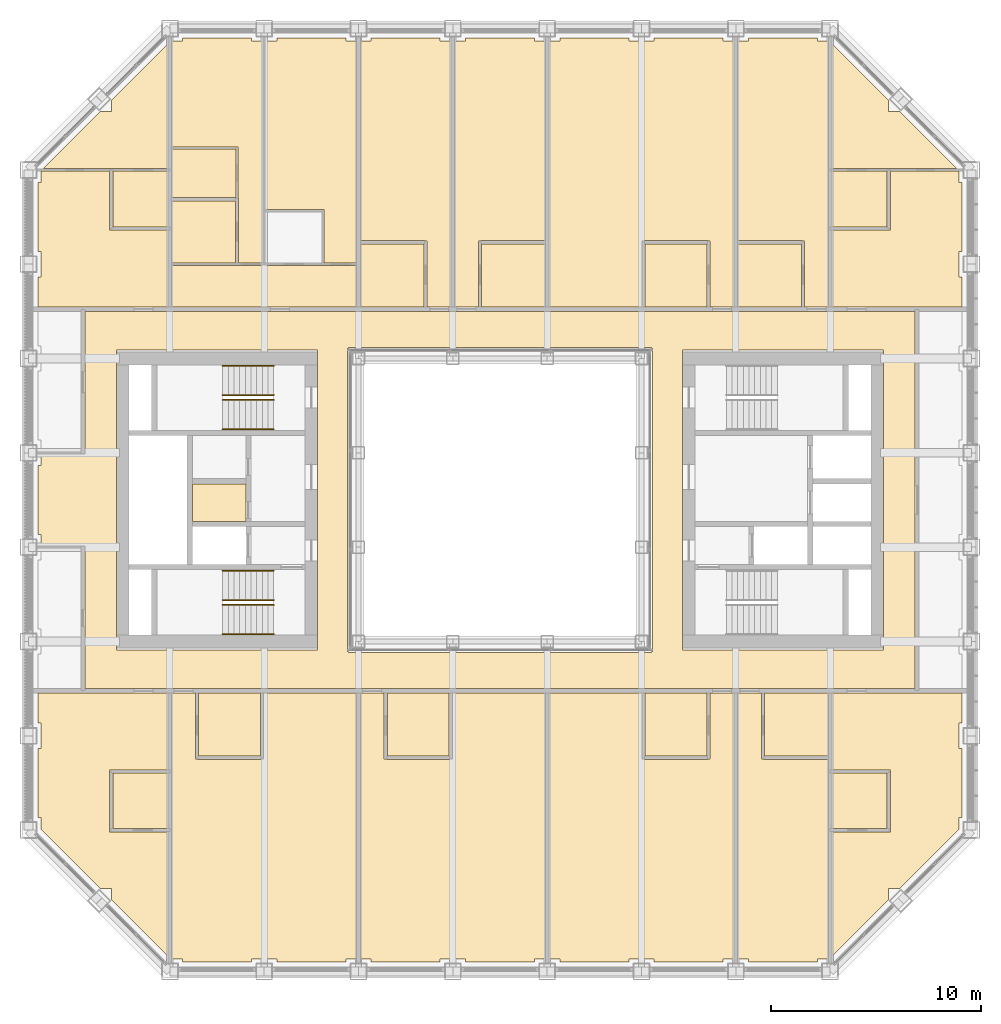
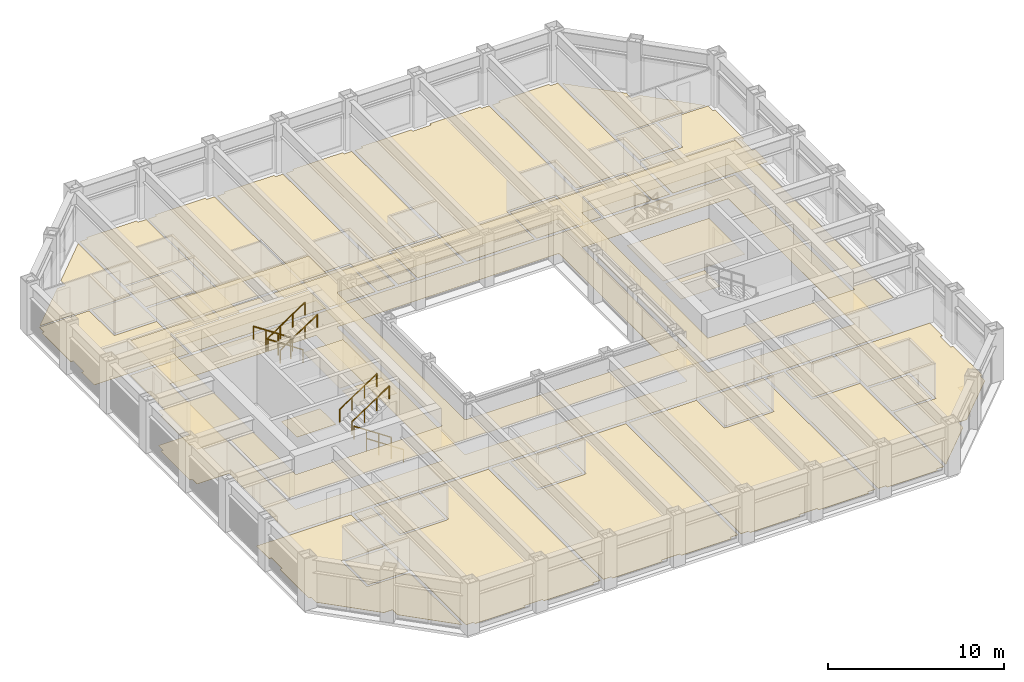
# One storey, part 15 of 17: 8 railings, 4 coverings.
"""IFC4 building model written with IfcOpenShell, lengths in metres."""

import ifcopenshell
import ifcopenshell.guid

model = None  # the IFC model being written
_history = None  # IfcOwnerHistory: only IFC2X3 demands one
_inside = {}  # id of a spatial element -> (the spatial element, [elements in it])
_under = {}  # id of a project, library or spatial element -> (it, [spatial elements below it])
_declared = {}  # id of a project -> (the project, [libraries it declares])
_typed = {}  # id of a type object -> (the type object, [elements of that type])
_made_of = {}  # id of a material, layer set ... -> (it, [elements and type objects made of it])


def new_model(schema):
    """Start an empty IFC model of exactly this schema.

    Asked for "IFC4X3", IfcOpenShell would pick the latest addendum, in which some entities
    have other attributes; the version numbers below select the first issue.
    IFC2X3 requires an IfcOwnerHistory on every rooted entity: one is made here for all.
    """
    global model, _history
    if schema == "IFC4X3":
        model = ifcopenshell.file(schema_version=(4, 3, 0, 0))
    else:
        model = ifcopenshell.file(schema=schema)
    _inside.clear()
    _under.clear()
    _declared.clear()
    _typed.clear()
    _made_of.clear()
    _history = None
    if model.schema == "IFC2X3":
        org = make("IfcOrganization", Name="unknown")
        user = make(
            "IfcPersonAndOrganization",
            ThePerson=make("IfcPerson", FamilyName="unknown"),
            TheOrganization=org,
        )
        app = make(
            "IfcApplication",
            ApplicationDeveloper=org,
            Version="unknown",
            ApplicationFullName="unknown",
            ApplicationIdentifier="unknown",
        )
        _history = make(
            "IfcOwnerHistory",
            OwningUser=user,
            OwningApplication=app,
            ChangeAction="ADDED",
            CreationDate=0,
        )
    return model


def make(cls, **values):
    """One entity of the class cls with the attributes given. An attribute that is None is left unset."""
    return model.create_entity(
        cls, **{name: value for name, value in values.items() if value is not None}
    )


def rooted(cls, **values):
    """An entity with a GlobalId (a new one), such as an element, a storey or a relation."""
    return make(cls, GlobalId=ifcopenshell.guid.new(), OwnerHistory=_history, **values)


def si_unit(unit_type, name, prefix=None):
    """IfcSIUnit, for example si_unit("LENGTHUNIT", "METRE", prefix="MILLI")."""
    return make("IfcSIUnit", UnitType=unit_type, Prefix=prefix, Name=name)


def assignment(units):
    """IfcUnitAssignment: the units of a project."""
    return None if units is None else make("IfcUnitAssignment", Units=units)


def point(xyz):
    """IfcCartesianPoint."""
    return None if xyz is None else make("IfcCartesianPoint", Coordinates=xyz)


def direction(xyz):
    """IfcDirection."""
    return None if xyz is None else make("IfcDirection", DirectionRatios=xyz)


def frame(location, z_axis=None, x_axis=None):
    """IfcAxis2Placement3D, a coordinate frame: its origin and axes. An axis left out is left unset."""
    return make(
        "IfcAxis2Placement3D",
        Location=point(location),
        Axis=direction(z_axis),
        RefDirection=direction(x_axis),
    )


def frame_2d(location, x_axis=None):
    """IfcAxis2Placement2D, a coordinate frame in the plane: its origin and x axis."""
    return make(
        "IfcAxis2Placement2D", Location=point(location), RefDirection=direction(x_axis)
    )


def origin():
    """The frame at (0, 0, 0) with its axes left unset."""
    return frame((0.0, 0.0, 0.0))


def origin_2d():
    """The frame at (0, 0) in the plane with its x axis left unset."""
    return frame_2d((0.0, 0.0))


def place(relative_to, where):
    """IfcLocalPlacement: puts the frame where relative to a parent placement (None: the world)."""
    return make(
        "IfcLocalPlacement", PlacementRelTo=relative_to, RelativePlacement=where
    )


def context(
    kind, dimensions, precision=None, world=None, true_north=None, identifier=None
):
    """IfcGeometricRepresentationContext, for example the 3D "Model" context."""
    return make(
        "IfcGeometricRepresentationContext",
        ContextIdentifier=identifier,
        ContextType=kind,
        CoordinateSpaceDimension=dimensions,
        Precision=precision,
        WorldCoordinateSystem=world,
        TrueNorth=true_north,
    )


def subcontext(parent, identifier, kind, view, scale=None):
    """IfcGeometricRepresentationSubContext, for example "Body" below "Model"."""
    return make(
        "IfcGeometricRepresentationSubContext",
        ContextIdentifier=identifier,
        ContextType=kind,
        ParentContext=parent,
        TargetScale=scale,
        TargetView=view,
    )


def project(units=None, contexts=None):
    """IfcProject with its units and contexts."""
    return rooted(
        "IfcProject",
        Name="project",
        RepresentationContexts=contexts,
        UnitsInContext=assignment(units),
    )


def spatial(cls, under=None, at=None, **own):
    """A site, building, storey or space (cls), placed at a placement, below another one or the project."""
    s = rooted(cls, ObjectPlacement=at, **own)
    if under is not None:
        _under.setdefault(under.id(), (under, []))[1].append(s)
    return s


def point_list(points):
    """IfcCartesianPointList2D or 3D."""
    cls = (
        "IfcCartesianPointList2D" if len(points[0]) == 2 else "IfcCartesianPointList3D"
    )
    return make(cls, CoordList=points)


def line(*indices):
    """IfcLineIndex: a straight run through numbered points of an indexed curve."""
    return model.create_entity("IfcLineIndex", indices)


def indexed_curve(points, segments=None, self_intersect=None):
    """IfcIndexedPolyCurve: lines and arcs through numbered points (the first is 1)."""
    return make(
        "IfcIndexedPolyCurve",
        Points=point_list(points),
        Segments=segments,
        SelfIntersect=self_intersect,
    )


def profile(cls, at=None, kind="AREA", **sizes):
    """A parametric profile (cls). Its sizes go by their IFC names, for example OverallWidth=200.0."""
    return make(cls, ProfileType=kind, Position=at, **sizes)


def circle(**sizes):
    """IfcCircleProfileDef."""
    return profile("IfcCircleProfileDef", **sizes)


def outline(outer, holes=None, kind="AREA"):
    """IfcArbitraryClosedProfileDef: a profile drawn as a closed curve; with holes, ...WithVoids."""
    if holes is None:
        return make("IfcArbitraryClosedProfileDef", ProfileType=kind, OuterCurve=outer)
    return make(
        "IfcArbitraryProfileDefWithVoids",
        ProfileType=kind,
        OuterCurve=outer,
        InnerCurves=holes,
    )


def extrude(swept, where, along, depth):
    """IfcExtrudedAreaSolid: the profile swept, set in the frame where, extruded along a direction by depth."""
    return make(
        "IfcExtrudedAreaSolid",
        SweptArea=swept,
        Position=where,
        ExtrudedDirection=direction(along),
        Depth=depth,
    )


def shape(context_of_items, identifier, shape_type, items):
    """IfcShapeRepresentation: the items that make up one representation, for example the "Body"."""
    return make(
        "IfcShapeRepresentation",
        ContextOfItems=context_of_items,
        RepresentationIdentifier=identifier,
        RepresentationType=shape_type,
        Items=items,
    )


def material(Name=None, Category=None):
    """IfcMaterial."""
    return make("IfcMaterial", Name=Name, Category=Category)


def layer(
    of_material, thickness, ventilated=None, Name=None, Category=None, Priority=None
):
    """IfcMaterialLayer: one layer of a wall or slab, of a material (None: an air gap)."""
    return make(
        "IfcMaterialLayer",
        Material=of_material,
        LayerThickness=thickness,
        IsVentilated=ventilated,
        Name=Name,
        Category=Category,
        Priority=Priority,
    )


def layer_set(layers, Name=None):
    """IfcMaterialLayerSet."""
    return make("IfcMaterialLayerSet", MaterialLayers=layers, LayerSetName=Name)


def made_of(thing, what):
    """Note that an element or type object is made of a material, layer set ...; save() writes the relation."""
    if what is not None:
        _made_of.setdefault(what.id(), (what, []))[1].append(thing)
    return thing


def type_object(cls, material=None, **own):
    """A type object (cls), such as IfcWallType, which elements share."""
    return made_of(rooted(cls, **own), material)


def element(
    cls,
    number,
    at=None,
    inside=None,
    cuts=None,
    type_object=None,
    material=None,
    context=None,
    identifier="Body",
    shape_type=None,
    held_by="IfcProductDefinitionShape",
    body=None,
    shapes=None,
    **own,
):
    """One element of the class cls, such as IfcWall. Its Tag is "e" and its number.

    at: its placement. inside: the storey or other place that contains it. cuts: it is an
    opening in that element (IfcRelVoidsElement). A single representation is given by context,
    identifier, shape_type and body (its items); several are given by shapes. held_by: the class
    of the entity that holds the representations. save() writes the other relations.
    """
    e = rooted(cls, Tag="e%d" % number, ObjectPlacement=at, **own)
    if body is not None:
        shapes = [shape(context, identifier, shape_type, body)]
    if shapes is not None:
        e.Representation = make(held_by, Representations=shapes)
    if inside is not None:
        _inside.setdefault(inside.id(), (inside, []))[1].append(e)
    if cuts is not None:
        rooted(
            "IfcRelVoidsElement", RelatingBuildingElement=cuts, RelatedOpeningElement=e
        )
    if type_object is not None:
        _typed.setdefault(type_object.id(), (type_object, []))[1].append(e)
    return made_of(e, material)


def aggregate(whole, parts):
    """IfcRelAggregates: a whole, such as a stair, and the parts it consists of."""
    return rooted("IfcRelAggregates", RelatingObject=whole, RelatedObjects=parts)


def save(model, path):
    """Write the relations noted so far, then the file.

    IfcRelAggregates (storeys below a building ...), IfcRelContainedInSpatialStructure (elements
    in a storey), IfcRelDefinesByType, IfcRelAssociatesMaterial and IfcRelDeclares: one each for
    every whole, place, type object, material and project.
    """
    for whole, parts in _under.values():
        aggregate(whole, parts)
    for where, things in _inside.values():
        rooted(
            "IfcRelContainedInSpatialStructure",
            RelatedElements=things,
            RelatingStructure=where,
        )
    for kind, things in _typed.values():
        rooted("IfcRelDefinesByType", RelatedObjects=things, RelatingType=kind)
    for what, things in _made_of.values():
        rooted("IfcRelAssociatesMaterial", RelatedObjects=things, RelatingMaterial=what)
    for by, libraries in _declared.values():
        rooted("IfcRelDeclares", RelatingContext=by, RelatedDefinitions=libraries)
    model.write(path)


model = new_model("IFC4")

# Units and contexts
model_context = context("Model", 3, precision=1e-05, world=origin(), true_north=direction((0.0, 1.0)))
body_context = subcontext(model_context, "Body", "Model", "MODEL_VIEW")
ifc_project = project(units=[si_unit("LENGTHUNIT", "METRE"), si_unit("AREAUNIT", "SQUARE_METRE"), si_unit("VOLUMEUNIT", "CUBIC_METRE"), si_unit("PLANEANGLEUNIT", "RADIAN"), si_unit("MASSUNIT", "GRAM", prefix="KILO")], contexts=[model_context])

# Site, building, storey
site_placement = place(None, origin())
site = spatial("IfcSite", under=ifc_project, at=site_placement, CompositionType="ELEMENT")
building_placement = place(site_placement, origin())
building = spatial("IfcBuilding", under=site, at=building_placement, Name="Msasa Ring Tower", CompositionType="ELEMENT")
storey_placement = place(building_placement, frame((0.0, 0.0, 172.39990234375)))
storey = spatial("IfcBuildingStorey", under=building, at=storey_placement, Name="L45", CompositionType="ELEMENT", Elevation=172.39990234375)

# Coverings
ifc_material_1 = material(Name="Gypsum plasterboard on a steel suspension grid", Category="steel")
ifc_layer_1 = layer(ifc_material_1, 0.014892578125)
ifc_layer_set_1 = layer_set([ifc_layer_1], Name="C1 SUSPENDED PLASTERBOARD CEILING 15")
covering_type_1 = type_object("IfcCoveringType", Name="C1 SUSPENDED PLASTERBOARD CEILING 15", PredefinedType="CEILING", material=ifc_layer_set_1)
covering_1_placement = place(storey_placement, frame((0.0, 0.0, 2.400146484375)))
element("IfcCovering", 1, at=covering_1_placement, inside=storey, type_object=covering_type_1, Name="Suspended Plasterboard Ceiling 15 circulation L45", PredefinedType="CEILING", context=body_context, shape_type="SweptSolid", body=[
    extrude(outline(indexed_curve([(-22.049560546875, 1.6494140625), (-21.8994140625, 1.6494140625), (-21.8994140625, 2.199462890625), (-19.799560546875, 2.199462890625), (-19.799560546875, 8.99951171875), (19.799560546875, 8.99951171875), (19.799560546875, -8.99951171875), (-19.799560546875, -8.99951171875), (-19.799560546875, -2.199462890625), (-21.8994140625, -2.199462890625), (-21.8994140625, -1.6494140625), (-22.049560546875, -1.6494140625)], segments=[line(1, 2, 3, 4, 5, 6, 7, 8, 9, 10, 11, 12, 1)], self_intersect=False), holes=[indexed_curve([(8.699462890625, -7.150390625), (18.300537109375, -7.150390625), (18.300537109375, 7.150390625), (8.699462890625, 7.150390625)], segments=[line(1, 2, 3, 4, 1)], self_intersect=False), indexed_curve([(-18.300537109375, 7.150390625), (-18.300537109375, -7.150390625), (-8.699462890625, -7.150390625), (-8.699462890625, 7.150390625)], segments=[line(1, 2, 3, 4, 1)], self_intersect=False), indexed_curve([(-7.280517578125, 7.23046875), (-7.280517578125, -7.23046875), (-7.22998046875, -7.23046875), (-7.22998046875, -7.280029296875), (7.22998046875, -7.280029296875), (7.22998046875, -7.23046875), (7.280517578125, -7.23046875), (7.280517578125, 7.23046875), (7.22998046875, 7.23046875), (7.22998046875, 7.280029296875), (-7.22998046875, 7.280029296875), (-7.22998046875, 7.23046875)], segments=[line(1, 2, 3, 4, 5, 6, 7, 8, 9, 10, 11, 12, 1)], self_intersect=False)]), origin(), (0.0, 0.0, 1.0), 0.014892578125),
    extrude(outline(indexed_curve([(-15.6494140625, 9.200439453125), (-15.6494140625, 11.199462890625), (-6.8505859375, 11.199462890625), (-6.8505859375, 9.200439453125)], segments=[line(1, 2, 3, 4, 1)], self_intersect=False)), origin(), (0.0, 0.0, 1.0), 0.014892578125),
    extrude(outline(indexed_curve([(-9.300537109375, -3.074462890625), (-11.87451171875, -3.074462890625), (-11.87451171875, -1.275390625), (-9.300537109375, -1.275390625)], segments=[line(1, 2, 3, 4, 1)], self_intersect=False)), origin(), (0.0, 0.0, 1.0), 0.014892578125),
    extrude(outline(indexed_curve([(-9.300537109375, -1.0244140625), (-11.87451171875, -1.0244140625), (-11.87451171875, 3.074462890625), (-9.300537109375, 3.074462890625)], segments=[line(1, 2, 3, 4, 1)], self_intersect=False)), origin(), (0.0, 0.0, 1.0), 0.014892578125),
    extrude(outline(indexed_curve([(9.300537109375, -3.074462890625), (9.300537109375, -1.275390625), (11.87451171875, -1.275390625), (11.87451171875, -3.074462890625)], segments=[line(1, 2, 3, 4, 1)], self_intersect=False)), origin(), (0.0, 0.0, 1.0), 0.014892578125),
    extrude(outline(indexed_curve([(9.300537109375, -1.0244140625), (9.300537109375, 3.074462890625), (14.674560546875, 3.074462890625), (14.674560546875, -1.0244140625)], segments=[line(1, 2, 3, 4, 1)], self_intersect=False)), origin(), (0.0, 0.0, 1.0), 0.014892578125),
])
ifc_material_2 = material(Name="Wool-blend carpet on felt underlay", Category="textile")
ifc_layer_2 = layer(ifc_material_2, 0.011962890625)
ifc_layer_set_2 = layer_set([ifc_layer_2], Name="F2 CARPET ON UNDERLAY 12")
covering_type_2 = type_object("IfcCoveringType", Name="F2 CARPET ON UNDERLAY 12", PredefinedType="FLOORING", material=ifc_layer_set_2)
covering_2_placement = place(storey_placement, origin())
element("IfcCovering", 2, at=covering_2_placement, inside=storey, type_object=covering_type_2, Name="Carpet On Underlay 12 L45", PredefinedType="FLOORING", context=body_context, shape_type="SweptSolid", body=[
    extrude(outline(indexed_curve([(-19.799560546875, 2.199951171875), (-19.799560546875, 8.99951171875), (19.799560546875, 8.99951171875), (19.799560546875, -8.99951171875), (-19.799560546875, -8.99951171875), (-19.799560546875, -2.199462890625), (-21.8994140625, -2.199462890625), (-21.8994140625, -1.6494140625), (-22.049560546875, -1.6494140625), (-22.049560546875, 1.6494140625), (-21.8994140625, 1.6494140625), (-21.8994140625, 2.199462890625)], segments=[line(1, 2, 3, 4, 5, 6, 7, 8, 9, 10, 11, 12, 1)], self_intersect=False), holes=[indexed_curve([(18.300537109375, -7.150390625), (18.300537109375, 7.150390625), (8.699462890625, 7.150390625), (8.699462890625, -7.150390625)], segments=[line(1, 2, 3, 4, 1)], self_intersect=False), indexed_curve([(-8.699462890625, -7.150390625), (-8.699462890625, 7.150390625), (-18.300537109375, 7.150390625), (-18.300537109375, -7.150390625)], segments=[line(1, 2, 3, 4, 1)], self_intersect=False), indexed_curve([(-7.280517578125, 7.23046875), (-7.280517578125, -7.23046875), (-7.22998046875, -7.23046875), (-7.22998046875, -7.280029296875), (7.22998046875, -7.280029296875), (7.22998046875, -7.23046875), (7.280517578125, -7.23046875), (7.280517578125, 7.23046875), (7.22998046875, 7.23046875), (7.22998046875, 7.280029296875), (-7.22998046875, 7.280029296875), (-7.22998046875, 7.23046875)], segments=[line(1, 2, 3, 4, 5, 6, 7, 8, 9, 10, 11, 12, 1)], self_intersect=False)]), origin(), (0.0, 0.0, 1.0), 0.01220703125),
    extrude(outline(indexed_curve([(-15.8505859375, 9.200439453125), (-22.049560546875, 9.200439453125), (-22.049560546875, 10.6494140625), (-21.8994140625, 10.6494140625), (-21.8994140625, 11.8505859375), (-22.049560546875, 11.8505859375), (-22.049560546875, 15.1494140625), (-21.8994140625, 15.1494140625), (-21.8994140625, 15.694580078125), (-18.630615234375, 15.694580078125), (-18.630615234375, 12.869384765625), (-15.8505859375, 12.869384765625)], segments=[line(1, 2, 3, 4, 5, 6, 7, 8, 9, 10, 11, 12, 1)], self_intersect=False)), origin(), (0.0, 0.0, 1.0), 0.01220703125),
    extrude(outline(indexed_curve([(-19.08837890625, 18.5244140625), (-18.5244140625, 18.5244140625), (-18.5244140625, 19.08837890625), (-15.8505859375, 21.762451171875), (-15.8505859375, 15.805419921875), (-21.807373046875, 15.805419921875)], segments=[line(1, 2, 3, 4, 5, 6, 1)], self_intersect=False)), origin(), (0.0, 0.0, 1.0), 0.01220703125),
    extrude(outline(indexed_curve([(-11.8505859375, 22.049560546875), (-11.8505859375, 21.8994140625), (-11.310546875, 21.8994140625), (-11.310546875, 11.300537109375), (-12.474609375, 11.300537109375), (-12.474609375, 14.39990234375), (-12.49951171875, 14.39990234375), (-12.49951171875, 16.8505859375), (-15.662109375, 16.8505859375), (-15.662109375, 21.8994140625), (-15.1494140625, 21.8994140625), (-15.1494140625, 22.049560546875)], segments=[line(1, 2, 3, 4, 5, 6, 7, 8, 9, 10, 11, 12, 1)], self_intersect=False)), origin(), (0.0, 0.0, 1.0), 0.01220703125),
    extrude(outline(indexed_curve([(-12.6005859375, 16.744384765625), (-12.6005859375, 14.430419921875), (-15.662109375, 14.430419921875), (-15.662109375, 16.744384765625)], segments=[line(1, 2, 3, 4, 1)], self_intersect=False)), origin(), (0.0, 0.0, 1.0), 0.01220703125),
    extrude(outline(indexed_curve([(-15.6494140625, 11.199462890625), (-6.8505859375, 11.199462890625), (-6.8505859375, 9.200439453125), (-15.6494140625, 9.200439453125)], segments=[line(1, 2, 3, 4, 1)], self_intersect=False)), origin(), (0.0, 0.0, 1.0), 0.01220703125),
    extrude(outline(indexed_curve([(-8.3994140625, 11.300537109375), (-8.3994140625, 13.8505859375), (-11.189453125, 13.8505859375), (-11.189453125, 21.8994140625), (-10.6494140625, 21.8994140625), (-10.6494140625, 22.049560546875), (-7.3505859375, 22.049560546875), (-7.3505859375, 21.8994140625), (-6.837890625, 21.8994140625), (-6.837890625, 11.300537109375)], segments=[line(1, 2, 3, 4, 5, 6, 7, 8, 9, 10, 1)], self_intersect=False)), origin(), (0.0, 0.0, 1.0), 0.01220703125),
    extrude(outline(indexed_curve([(-2.8505859375, 22.049560546875), (-2.8505859375, 21.8994140625), (-2.3505859375, 21.8994140625), (-2.3505859375, 9.200439453125), (-3.474609375, 9.200439453125), (-3.474609375, 12.35009765625), (-3.60009765625, 12.3505859375), (-3.60009765625, 12.37548828125), (-6.6494140625, 12.37548828125), (-6.6494140625, 21.8994140625), (-6.1494140625, 21.8994140625), (-6.1494140625, 22.049560546875)], segments=[line(1, 2, 3, 4, 5, 6, 7, 8, 9, 10, 11, 12, 1)], self_intersect=False)), origin(), (0.0, 0.0, 1.0), 0.01220703125),
    extrude(outline(indexed_curve([(-2.1494140625, 21.8994140625), (-1.6494140625, 21.8994140625), (-1.6494140625, 22.049560546875), (1.6494140625, 22.049560546875), (1.6494140625, 21.8994140625), (2.1494140625, 21.8994140625), (2.1494140625, 12.37548828125), (-0.89990234375, 12.37548828125), (-0.89990234375, 12.3505859375), (-1.025390625, 12.35009765625), (-1.025390625, 9.200439453125), (-2.1494140625, 9.200439453125)], segments=[line(1, 2, 3, 4, 5, 6, 7, 8, 9, 10, 11, 12, 1)], self_intersect=False)), origin(), (0.0, 0.0, 1.0), 0.01220703125),
    extrude(outline(indexed_curve([(11.8505859375, -22.049560546875), (11.8505859375, -21.8994140625), (11.3505859375, -21.8994140625), (11.3505859375, -9.200439453125), (12.474609375, -9.200439453125), (12.474609375, -12.35009765625), (12.60009765625, -12.3505859375), (12.60009765625, -12.37548828125), (15.6494140625, -12.37548828125), (15.6494140625, -21.8994140625), (15.1494140625, -21.8994140625), (15.1494140625, -22.049560546875)], segments=[line(1, 2, 3, 4, 5, 6, 7, 8, 9, 10, 11, 12, 1)], self_intersect=False)), origin(), (0.0, 0.0, 1.0), 0.01220703125),
    extrude(outline(indexed_curve([(15.6494140625, 9.200439453125), (14.525390625, 9.200439453125), (14.525390625, 12.35009765625), (14.39990234375, 12.3505859375), (14.39990234375, 12.37548828125), (11.3505859375, 12.37548828125), (11.3505859375, 21.8994140625), (11.8505859375, 21.8994140625), (11.8505859375, 22.049560546875), (15.1494140625, 22.049560546875), (15.1494140625, 21.8994140625), (15.6494140625, 21.8994140625)], segments=[line(1, 2, 3, 4, 5, 6, 7, 8, 9, 10, 11, 12, 1)], self_intersect=False)), origin(), (0.0, 0.0, 1.0), 0.01220703125),
    extrude(outline(indexed_curve([(22.049560546875, 11.8505859375), (21.8994140625, 11.8505859375), (21.8994140625, 10.6494140625), (22.049560546875, 10.6494140625), (22.049560546875, 9.200439453125), (15.8505859375, 9.200439453125), (15.8505859375, 12.869384765625), (18.630615234375, 12.869384765625), (18.630615234375, 15.694580078125), (21.8994140625, 15.694580078125), (21.8994140625, 15.1494140625), (22.049560546875, 15.1494140625)], segments=[line(1, 2, 3, 4, 5, 6, 7, 8, 9, 10, 11, 12, 1)], self_intersect=False)), origin(), (0.0, 0.0, 1.0), 0.01220703125),
    extrude(outline(indexed_curve([(15.8505859375, 15.805419921875), (15.8505859375, 21.762451171875), (18.5244140625, 19.08837890625), (18.5244140625, 18.5244140625), (19.08837890625, 18.5244140625), (21.807373046875, 15.805419921875)], segments=[line(1, 2, 3, 4, 5, 6, 1)], self_intersect=False)), origin(), (0.0, 0.0, 1.0), 0.01220703125),
])
ifc_material_3 = material(Name="Engineered oak boards on an acoustic underlay", Category="wood")
ifc_layer_3 = layer(ifc_material_3, 0.01806640625)
ifc_layer_set_3 = layer_set([ifc_layer_3], Name="F3 ENGINEERED TIMBER ON ACOUSTIC UNDERLAY 18")
covering_type_3 = type_object("IfcCoveringType", Name="F3 ENGINEERED TIMBER ON ACOUSTIC UNDERLAY 18", PredefinedType="FLOORING", material=ifc_layer_set_3)
covering_3_placement = place(storey_placement, origin())
element("IfcCovering", 3, at=covering_3_placement, inside=storey, type_object=covering_type_3, Name="Engineered Timber On Acoustic Underlay 18 L45", PredefinedType="FLOORING", context=body_context, shape_type="SweptSolid", body=[
    extrude(outline(indexed_curve([(-15.8505859375, -15.83056640625), (-15.8505859375, -21.762451171875), (-18.5244140625, -19.08837890625), (-18.5244140625, -18.5244140625), (-19.08837890625, -18.5244140625), (-21.8994140625, -15.71337890625), (-21.8994140625, -15.1494140625), (-22.049560546875, -15.1494140625), (-22.049560546875, -11.8505859375), (-21.8994140625, -11.8505859375), (-21.8994140625, -10.6494140625), (-22.049560546875, -10.6494140625), (-22.049560546875, -9.200439453125), (-15.8505859375, -9.200439453125), (-15.8505859375, -12.869384765625), (-18.630615234375, -12.869384765625), (-18.630615234375, -15.83056640625)], segments=[line(1, 2, 3, 4, 5, 6, 7, 8, 9, 10, 11, 12, 13, 14, 15, 16, 17, 1)], self_intersect=False)), origin(), (0.0, 0.0, 1.0), 0.01806640625),
    extrude(outline(indexed_curve([(-14.525390625, -9.200439453125), (-14.525390625, -12.35009765625), (-14.39990234375, -12.3505859375), (-14.39990234375, -12.37548828125), (-11.39990234375, -12.37548828125), (-11.39990234375, -12.3505859375), (-11.2744140625, -12.35009765625), (-11.2744140625, -9.200439453125), (-6.8505859375, -9.200439453125), (-6.8505859375, -21.8994140625), (-7.3505859375, -21.8994140625), (-7.3505859375, -22.049560546875), (-10.6494140625, -22.049560546875), (-10.6494140625, -21.8994140625), (-11.8505859375, -21.8994140625), (-11.8505859375, -22.049560546875), (-15.1494140625, -22.049560546875), (-15.1494140625, -21.8994140625), (-15.6494140625, -21.8994140625), (-15.6494140625, -9.200439453125)], segments=[line(1, 2, 3, 4, 5, 6, 7, 8, 9, 10, 11, 12, 13, 14, 15, 16, 17, 18, 19, 20, 1)], self_intersect=False)), origin(), (0.0, 0.0, 1.0), 0.01806640625),
    extrude(outline(indexed_curve([(-5.39990234375, -12.3505859375), (-5.39990234375, -12.37548828125), (-2.39990234375, -12.37548828125), (-2.39990234375, -12.3505859375), (-2.2744140625, -12.35009765625), (-2.2744140625, -9.200439453125), (2.1494140625, -9.200439453125), (2.1494140625, -21.8994140625), (1.6494140625, -21.8994140625), (1.6494140625, -22.049560546875), (-1.6494140625, -22.049560546875), (-1.6494140625, -21.8994140625), (-2.8505859375, -21.8994140625), (-2.8505859375, -22.049560546875), (-6.1494140625, -22.049560546875), (-6.1494140625, -21.8994140625), (-6.6494140625, -21.8994140625), (-6.6494140625, -9.200439453125), (-5.525390625, -9.200439453125), (-5.525390625, -12.35009765625)], segments=[line(1, 2, 3, 4, 5, 6, 7, 8, 9, 10, 11, 12, 13, 14, 15, 16, 17, 18, 19, 20, 1)], self_intersect=False)), origin(), (0.0, 0.0, 1.0), 0.01806640625),
    extrude(outline(indexed_curve([(6.89990234375, -12.3505859375), (6.89990234375, -12.37548828125), (9.89990234375, -12.37548828125), (9.89990234375, -12.3505859375), (10.025390625, -12.35009765625), (10.025390625, -9.200439453125), (11.1494140625, -9.200439453125), (11.1494140625, -21.8994140625), (10.6494140625, -21.8994140625), (10.6494140625, -22.049560546875), (7.3505859375, -22.049560546875), (7.3505859375, -21.8994140625), (6.1494140625, -21.8994140625), (6.1494140625, -22.049560546875), (2.8505859375, -22.049560546875), (2.8505859375, -21.8994140625), (2.3505859375, -21.8994140625), (2.3505859375, -9.200439453125), (6.7744140625, -9.200439453125), (6.7744140625, -12.35009765625)], segments=[line(1, 2, 3, 4, 5, 6, 7, 8, 9, 10, 11, 12, 13, 14, 15, 16, 17, 18, 19, 20, 1)], self_intersect=False)), origin(), (0.0, 0.0, 1.0), 0.01806640625),
    extrude(outline(indexed_curve([(9.89990234375, 12.3505859375), (9.89990234375, 12.37548828125), (6.89990234375, 12.37548828125), (6.89990234375, 12.3505859375), (6.7744140625, 12.35009765625), (6.7744140625, 9.200439453125), (2.3505859375, 9.200439453125), (2.3505859375, 21.8994140625), (2.8505859375, 21.8994140625), (2.8505859375, 22.049560546875), (6.1494140625, 22.049560546875), (6.1494140625, 21.8994140625), (7.3505859375, 21.8994140625), (7.3505859375, 22.049560546875), (10.6494140625, 22.049560546875), (10.6494140625, 21.8994140625), (11.1494140625, 21.8994140625), (11.1494140625, 9.200439453125), (10.025390625, 9.200439453125), (10.025390625, 12.35009765625)], segments=[line(1, 2, 3, 4, 5, 6, 7, 8, 9, 10, 11, 12, 13, 14, 15, 16, 17, 18, 19, 20, 1)], self_intersect=False)), origin(), (0.0, 0.0, 1.0), 0.01806640625),
    extrude(outline(indexed_curve([(18.630615234375, -12.869384765625), (15.8505859375, -12.869384765625), (15.8505859375, -9.200439453125), (22.049560546875, -9.200439453125), (22.049560546875, -10.6494140625), (21.8994140625, -10.6494140625), (21.8994140625, -11.8505859375), (22.049560546875, -11.8505859375), (22.049560546875, -15.1494140625), (21.8994140625, -15.1494140625), (21.8994140625, -15.71337890625), (19.08837890625, -18.5244140625), (18.5244140625, -18.5244140625), (18.5244140625, -19.08837890625), (15.8505859375, -21.762451171875), (15.8505859375, -15.83056640625), (18.630615234375, -15.83056640625)], segments=[line(1, 2, 3, 4, 5, 6, 7, 8, 9, 10, 11, 12, 13, 14, 15, 16, 17, 1)], self_intersect=False)), origin(), (0.0, 0.0, 1.0), 0.01806640625),
])
ifc_material_4 = material(Name="Porcelain floor tiles in adhesive", Category="ceramic")
ifc_layer_4 = layer(ifc_material_4, 0.010009765625)
ifc_layer_set_4 = layer_set([ifc_layer_4], Name="F4 PORCELAIN TILE ON ADHESIVE 10")
covering_type_4 = type_object("IfcCoveringType", Name="F4 PORCELAIN TILE ON ADHESIVE 10", PredefinedType="FLOORING", material=ifc_layer_set_4)
covering_4_placement = place(storey_placement, origin())
element("IfcCovering", 4, at=covering_4_placement, inside=storey, type_object=covering_type_4, Name="Porcelain Tile On Adhesive 10 L45", PredefinedType="FLOORING", context=body_context, shape_type="SweptSolid", body=[
    extrude(outline(indexed_curve([(-18.469482421875, -13.030517578125), (-15.8505859375, -13.030517578125), (-15.8505859375, -15.66943359375), (-18.469482421875, -15.66943359375)], segments=[line(1, 2, 3, 4, 1)], self_intersect=False)), origin(), (0.0, 0.0, 1.0), 0.010009765625),
    extrude(outline(indexed_curve([(-15.8505859375, 15.694580078125), (-15.8505859375, 13.030517578125), (-18.469482421875, 13.030517578125), (-18.469482421875, 15.694580078125)], segments=[line(1, 2, 3, 4, 1)], self_intersect=False)), origin(), (0.0, 0.0, 1.0), 0.010009765625),
    extrude(outline(indexed_curve([(-15.662109375, 11.300537109375), (-15.662109375, 14.2744140625), (-12.62548828125, 14.2744140625), (-12.62548828125, 11.300537109375)], segments=[line(1, 2, 3, 4, 1)], self_intersect=False)), origin(), (0.0, 0.0, 1.0), 0.010009765625),
    extrude(outline(indexed_curve([(-12.12548828125, -1.0244140625), (-14.674560546875, -1.0244140625), (-14.674560546875, 0.7744140625), (-12.12548828125, 0.7744140625)], segments=[line(1, 2, 3, 4, 1)], self_intersect=False)), origin(), (0.0, 0.0, 1.0), 0.010009765625),
    extrude(outline(indexed_curve([(-11.425537109375, -9.200439453125), (-11.425537109375, -12.224609375), (-14.37451171875, -12.224609375), (-14.37451171875, -9.200439453125)], segments=[line(1, 2, 3, 4, 1)], self_intersect=False)), origin(), (0.0, 0.0, 1.0), 0.010009765625),
    extrude(outline(indexed_curve([(-6.6494140625, 9.200439453125), (-6.6494140625, 12.224609375), (-3.62548828125, 12.224609375), (-3.62548828125, 9.200439453125)], segments=[line(1, 2, 3, 4, 1)], self_intersect=False)), origin(), (0.0, 0.0, 1.0), 0.010009765625),
    extrude(outline(indexed_curve([(-2.425537109375, -9.200439453125), (-2.425537109375, -12.224609375), (-5.37451171875, -12.224609375), (-5.37451171875, -9.200439453125)], segments=[line(1, 2, 3, 4, 1)], self_intersect=False)), origin(), (0.0, 0.0, 1.0), 0.010009765625),
    extrude(outline(indexed_curve([(2.1494140625, 9.200439453125), (-0.87451171875, 9.200439453125), (-0.87451171875, 12.224609375), (2.1494140625, 12.224609375)], segments=[line(1, 2, 3, 4, 1)], self_intersect=False)), origin(), (0.0, 0.0, 1.0), 0.010009765625),
    extrude(outline(indexed_curve([(9.87451171875, -9.200439453125), (9.87451171875, -12.224609375), (6.925537109375, -12.224609375), (6.925537109375, -9.200439453125)], segments=[line(1, 2, 3, 4, 1)], self_intersect=False)), origin(), (0.0, 0.0, 1.0), 0.010009765625),
    extrude(outline(indexed_curve([(6.925537109375, 9.200439453125), (6.925537109375, 12.224609375), (9.87451171875, 12.224609375), (9.87451171875, 9.200439453125)], segments=[line(1, 2, 3, 4, 1)], self_intersect=False)), origin(), (0.0, 0.0, 1.0), 0.010009765625),
    extrude(outline(indexed_curve([(11.3505859375, 9.200439453125), (11.3505859375, 12.224609375), (14.37451171875, 12.224609375), (14.37451171875, 9.200439453125)], segments=[line(1, 2, 3, 4, 1)], self_intersect=False)), origin(), (0.0, 0.0, 1.0), 0.010009765625),
    extrude(outline(indexed_curve([(15.6494140625, -9.200439453125), (15.6494140625, -12.224609375), (12.62548828125, -12.224609375), (12.62548828125, -9.200439453125)], segments=[line(1, 2, 3, 4, 1)], self_intersect=False)), origin(), (0.0, 0.0, 1.0), 0.010009765625),
    extrude(outline(indexed_curve([(15.8505859375, -13.030517578125), (18.469482421875, -13.030517578125), (18.469482421875, -15.66943359375), (15.8505859375, -15.66943359375)], segments=[line(1, 2, 3, 4, 1)], self_intersect=False)), origin(), (0.0, 0.0, 1.0), 0.010009765625),
    extrude(outline(indexed_curve([(18.469482421875, 15.694580078125), (18.469482421875, 13.030517578125), (15.8505859375, 13.030517578125), (15.8505859375, 15.694580078125)], segments=[line(1, 2, 3, 4, 1)], self_intersect=False)), origin(), (0.0, 0.0, 1.0), 0.010009765625),
])

# Railings
ifc_material_5 = material(Name="Stainless steel", Category="steel")
railing_type = type_object("IfcRailingType", Name="HR1 HANDRAIL 900", PredefinedType="HANDRAIL", material=ifc_material_5)
for number, where, name in (
    (5, (-10.800048828125, -6.39990234375, 0.18017578125), "Handrail stair SWA L45 1"),
    (6, (-10.800048828125, -5.0, 0.18017578125), "Handrail stair SWA L45 2"),
):
    element("IfcRailing", number, at=place(storey_placement, frame(where)), inside=storey, type_object=railing_type, Name=name, PredefinedType="HANDRAIL", context=body_context, shape_type="SweptSolid", body=[
        extrude(circle(Radius=0.02392578125, at=origin_2d()), frame((0.0, 0.0, 0.8759765625), z_axis=(-0.832063155534, 0.0, 0.554680903946), x_axis=(0.0, -1.0, 0.0)), (0.0, 0.0, 1.0), 2.92041015625),
        extrude(circle(Radius=0.02099609375, at=origin_2d()), origin(), (0.0, 0.0, 1.0), 0.851806640625),
        extrude(circle(Radius=0.02099609375, at=origin_2d()), frame((-0.81005859375, 0.0, 0.5400390625)), (0.0, 0.0, 1.0), 0.851806640625),
        extrude(circle(Radius=0.02099609375, at=origin_2d()), frame((-1.619873046875, 0.0, 1.079833984375)), (0.0, 0.0, 1.0), 0.851806640625),
        extrude(circle(Radius=0.02099609375, at=origin_2d()), frame((-2.429931640625, 0.0, 1.619873046875)), (0.0, 0.0, 1.0), 0.851806640625),
    ])
for number, where, name in (
    (7, (-13.22998046875, -4.77490234375, 1.97998046875), "Handrail stair SWA L45 3"),
    (8, (-13.22998046875, -3.375, 1.97998046875), "Handrail stair SWA L45 4"),
):
    element("IfcRailing", number, at=place(storey_placement, frame(where)), inside=storey, type_object=railing_type, Name=name, PredefinedType="HANDRAIL", context=body_context, shape_type="SweptSolid", body=[
        extrude(circle(Radius=0.02392578125, at=origin_2d()), frame((0.0, 0.0, 0.8759765625), z_axis=(0.832024571796, 0.0, 0.554738778101), x_axis=(0.0, 1.0, 0.0)), (0.0, 0.0, 1.0), 2.92041015625),
        extrude(circle(Radius=0.02099609375, at=origin_2d()), origin(), (0.0, 0.0, 1.0), 0.851806640625),
        extrude(circle(Radius=0.02099609375, at=origin_2d()), frame((0.81005859375, 0.0, 0.5400390625)), (0.0, 0.0, 1.0), 0.851806640625),
        extrude(circle(Radius=0.02099609375, at=origin_2d()), frame((1.619873046875, 0.0, 1.080078125)), (0.0, 0.0, 1.0), 0.851806640625),
        extrude(circle(Radius=0.02099609375, at=origin_2d()), frame((2.429931640625, 0.0, 1.6201171875)), (0.0, 0.0, 1.0), 0.851806640625),
    ])
for number, where, name in (
    (9, (-10.800048828125, 5.0, 0.18017578125), "Handrail stair SWB L45 1"),
    (10, (-10.800048828125, 6.39990234375, 0.18017578125), "Handrail stair SWB L45 2"),
):
    element("IfcRailing", number, at=place(storey_placement, frame(where)), inside=storey, type_object=railing_type, Name=name, PredefinedType="HANDRAIL", context=body_context, shape_type="SweptSolid", body=[
        extrude(circle(Radius=0.02392578125, at=origin_2d()), frame((0.0, 0.0, 0.8759765625), z_axis=(-0.832063155534, 0.0, 0.554680903946), x_axis=(0.0, -1.0, 0.0)), (0.0, 0.0, 1.0), 2.92041015625),
        extrude(circle(Radius=0.02099609375, at=origin_2d()), origin(), (0.0, 0.0, 1.0), 0.851806640625),
        extrude(circle(Radius=0.02099609375, at=origin_2d()), frame((-0.81005859375, 0.0, 0.5400390625)), (0.0, 0.0, 1.0), 0.851806640625),
        extrude(circle(Radius=0.02099609375, at=origin_2d()), frame((-1.619873046875, 0.0, 1.079833984375)), (0.0, 0.0, 1.0), 0.851806640625),
        extrude(circle(Radius=0.02099609375, at=origin_2d()), frame((-2.429931640625, 0.0, 1.619873046875)), (0.0, 0.0, 1.0), 0.851806640625),
    ])
for number, where, name in (
    (11, (-13.22998046875, 3.375, 1.97998046875), "Handrail stair SWB L45 3"),
    (12, (-13.22998046875, 4.77490234375, 1.97998046875), "Handrail stair SWB L45 4"),
):
    element("IfcRailing", number, at=place(storey_placement, frame(where)), inside=storey, type_object=railing_type, Name=name, PredefinedType="HANDRAIL", context=body_context, shape_type="SweptSolid", body=[
        extrude(circle(Radius=0.02392578125, at=origin_2d()), frame((0.0, 0.0, 0.8759765625), z_axis=(0.832024571796, 0.0, 0.554738778101), x_axis=(0.0, 1.0, 0.0)), (0.0, 0.0, 1.0), 2.92041015625),
        extrude(circle(Radius=0.02099609375, at=origin_2d()), origin(), (0.0, 0.0, 1.0), 0.851806640625),
        extrude(circle(Radius=0.02099609375, at=origin_2d()), frame((0.81005859375, 0.0, 0.5400390625)), (0.0, 0.0, 1.0), 0.851806640625),
        extrude(circle(Radius=0.02099609375, at=origin_2d()), frame((1.619873046875, 0.0, 1.080078125)), (0.0, 0.0, 1.0), 0.851806640625),
        extrude(circle(Radius=0.02099609375, at=origin_2d()), frame((2.429931640625, 0.0, 1.6201171875)), (0.0, 0.0, 1.0), 0.851806640625),
    ])

save(model, "model.ifc")
